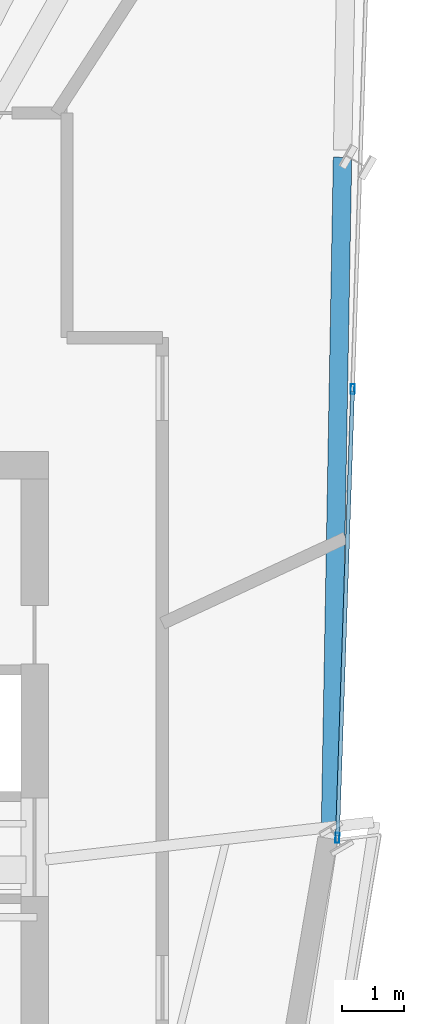
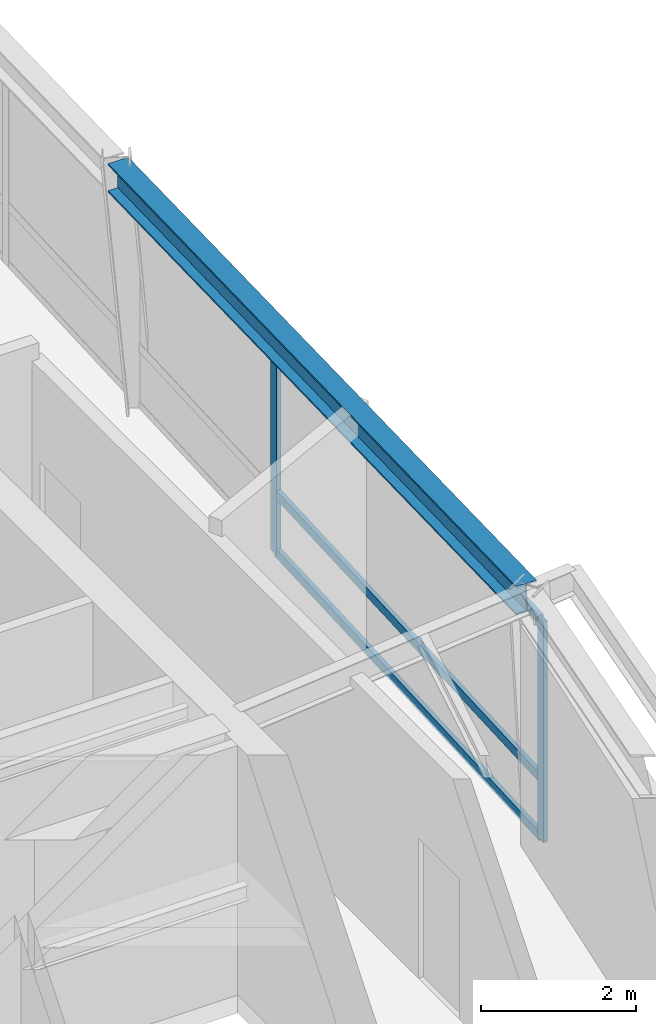
# One storey, part 10 of 22: 5 members, 1 beam, 1 element without a shape of its own.
"""IFC4 building model written with IfcOpenShell, lengths in metres."""

from ifc_helpers import new_model, si_unit, direction, frame, origin, origin_2d, place, context, subcontext, project, spatial, hollow_rectangle, i_section, extrude, source, transform, mapped, material, material_profile, profile_set, type_object, element, aggregate, save


model = new_model("IFC4")

# Units and contexts
model_context = context("Model", 3, precision=1e-05, world=origin(), true_north=direction((0.0, 1.0)))
body_context = subcontext(model_context, "Body", "Model", "MODEL_VIEW")
ifc_project = project(units=[si_unit("LENGTHUNIT", "METRE"), si_unit("AREAUNIT", "SQUARE_METRE"), si_unit("VOLUMEUNIT", "CUBIC_METRE"), si_unit("PLANEANGLEUNIT", "RADIAN"), si_unit("MASSUNIT", "GRAM", prefix="KILO")], contexts=[model_context])

# Site, building, storey
site_placement = place(None, origin())
site = spatial("IfcSite", under=ifc_project, at=site_placement, CompositionType="ELEMENT")
building_placement = place(site_placement, origin())
building = spatial("IfcBuilding", under=site, at=building_placement, Name="Olszyna Solenne Hotel", CompositionType="ELEMENT")
storey_placement = place(building_placement, frame((0.0, 0.0, 281.89990234375)))
storey = spatial("IfcBuildingStorey", under=building, at=storey_placement, Name="L75", CompositionType="ELEMENT", Elevation=281.89990234375)

# Beam
ifc_material_1 = material(Name="Steel S355J2", Category="steel")
ifc_material_profile_1 = material_profile(ifc_material_1, i_section(OverallWidth=0.300048828125, OverallDepth=0.449951171875, WebThickness=0.013916015625, FlangeThickness=0.02587890625, at=origin_2d()), Name="HEB 450", Category="load-bearing")
ifc_profile_set_1 = profile_set([ifc_material_profile_1], Name="Steel S355J2")
beam_type = type_object("IfcBeamType", Name="BM-S4", PredefinedType="BEAM", material=ifc_profile_set_1)
shared_shape_1 = source(origin(), body_context, "Body", "SweptSolid", [
    extrude(i_section(OverallWidth=0.300048828125, OverallDepth=0.449951171875, WebThickness=0.013916015625, FlangeThickness=0.02587890625, at=origin_2d()), origin(), (0.0, 0.0, 1.0), 10.842529296875),
])
beam_placement = place(storey_placement, frame((50.933349609375, 28.090087890625, 3.695068359375), z_axis=(0.017923433304, 0.999839362367, 0.0), x_axis=(-0.999839362367, 0.017923433304, 0.0)))
element("IfcBeam", 1, at=beam_placement, inside=storey, type_object=beam_type, Name="Perimeter spandrel beam BM-S4 B-L75-2206", PredefinedType="BEAM", context=body_context, shape_type="MappedRepresentation", body=[
    mapped(shared_shape_1, transform((0.0, 0.0, 0.0), x_axis=(1.0, 0.0, 0.0), y_axis=(0.0, 1.0, 0.0), z_axis=(0.0, 0.0, 1.0), scale=1.0)),
])

# Curtain wall, members
ifc_material_2 = material(Name="Anodised bronze aluminium", Category="aluminium")
curtain_wall_type = type_object("IfcCurtainWallType", Name="CW-SYS-7", PredefinedType="NOTDEFINED", material=ifc_material_2)
curtain_wall_placement = place(storey_placement, origin())
curtain_wall = element("IfcCurtainWall", 2, at=curtain_wall_placement, inside=storey, type_object=curtain_wall_type, Name="Unitised curtain wall CW-SYS-7 CW-L75-03", PredefinedType="NOTDEFINED")
ifc_material_profile_2 = material_profile(ifc_material_2, hollow_rectangle(XDim=0.06494140625, YDim=0.159912109375, WallThickness=0.00390625, at=origin_2d()), Name="MULL 160x65x4", Category="load-bearing")
ifc_profile_set_2 = profile_set([ifc_material_profile_2], Name="Anodised bronze aluminium")
member_type_1 = type_object("IfcMemberType", Name="CW-M3", PredefinedType="MULLION", material=ifc_profile_set_2)
shared_shape_2 = source(origin(), body_context, "Body", "SweptSolid", [
    extrude(hollow_rectangle(XDim=0.06494140625, YDim=0.159912109375, WallThickness=0.00390625, at=origin_2d()), origin(), (0.0, 0.0, 1.0), 3.462158203125),
])
member_1_placement = place(storey_placement, frame((51.04541015625, 27.870361328125, 0.0), z_axis=(0.0, 0.0, 1.0), x_axis=(-0.9994274286, 0.033835114337, 0.0)))
member_1 = element("IfcMember", 3, at=member_1_placement, type_object=member_type_1, Name="Curtain-wall mullion CW-M3 CM-L75-03-01", PredefinedType="MULLION", context=body_context, shape_type="MappedRepresentation", body=[
    mapped(shared_shape_2, transform((0.0, 0.0, 0.0), x_axis=(1.0, 0.0, 0.0), y_axis=(0.0, 1.0, 0.0), z_axis=(0.0, 0.0, 1.0), scale=1.0)),
])
member_2_placement = place(storey_placement, frame((51.29248046875, 35.163330078125, 0.0), z_axis=(0.0, 0.0, 1.0), x_axis=(-0.9994274286, 0.033835114337, 0.0)))
member_2 = element("IfcMember", 4, at=member_2_placement, type_object=member_type_1, Name="Curtain-wall mullion CW-M3 CM-L75-03-02", PredefinedType="MULLION", context=body_context, shape_type="MappedRepresentation", body=[
    mapped(shared_shape_2, transform((0.0, 0.0, 0.0), x_axis=(1.0, 0.0, 0.0), y_axis=(0.0, 1.0, 0.0), z_axis=(0.0, 0.0, 1.0), scale=1.0)),
])
ifc_material_profile_3 = material_profile(ifc_material_2, hollow_rectangle(XDim=0.06494140625, YDim=0.139892578125, WallThickness=0.00390625, at=origin_2d()), Name="TRAN 140x65x4", Category="load-bearing")
ifc_profile_set_3 = profile_set([ifc_material_profile_3], Name="Anodised bronze aluminium")
member_type_2 = type_object("IfcMemberType", Name="CW-T2", PredefinedType="USERDEFINED", material=ifc_profile_set_3)
shared_shape_3 = source(origin(), body_context, "Body", "SweptSolid", [
    extrude(hollow_rectangle(XDim=0.06494140625, YDim=0.139892578125, WallThickness=0.00390625, at=origin_2d()), origin(), (0.0, 0.0, 1.0), 7.232177734375),
])
member_3_placement = place(storey_placement, frame((51.046630859375, 27.90283203125, 0.03271484375), z_axis=(0.033825124039, 0.999427766766, 0.0), x_axis=(-0.999427766766, 0.033825124039, 0.0)))
member_3 = element("IfcMember", 5, at=member_3_placement, type_object=member_type_2, Name="Curtain-wall transom CW-T2 CT-L75-03-01", ObjectType="TRANSOM", PredefinedType="USERDEFINED", context=body_context, shape_type="MappedRepresentation", body=[
    mapped(shared_shape_3, transform((0.0, 0.0, 0.0), x_axis=(1.0, 0.0, 0.0), y_axis=(0.0, 1.0, 0.0), z_axis=(0.0, 0.0, 1.0), scale=1.0)),
])
member_4_placement = place(storey_placement, frame((51.046630859375, 27.90283203125, 0.9501953125), z_axis=(0.033825124039, 0.999427766766, 0.0), x_axis=(-0.999427766766, 0.033825124039, 0.0)))
member_4 = element("IfcMember", 6, at=member_4_placement, type_object=member_type_2, Name="Curtain-wall transom CW-T2 CT-L75-03-02", ObjectType="TRANSOM", PredefinedType="USERDEFINED", context=body_context, shape_type="MappedRepresentation", body=[
    mapped(shared_shape_3, transform((0.0, 0.0, 0.0), x_axis=(1.0, 0.0, 0.0), y_axis=(0.0, 1.0, 0.0), z_axis=(0.0, 0.0, 1.0), scale=1.0)),
])
member_5_placement = place(storey_placement, frame((51.046630859375, 27.90283203125, 3.4296875), z_axis=(0.033825124039, 0.999427766766, 0.0), x_axis=(-0.999427766766, 0.033825124039, 0.0)))
member_5 = element("IfcMember", 7, at=member_5_placement, type_object=member_type_2, Name="Curtain-wall transom CW-T2 CT-L75-03-03", ObjectType="TRANSOM", PredefinedType="USERDEFINED", context=body_context, shape_type="MappedRepresentation", body=[
    mapped(shared_shape_3, transform((0.0, 0.0, 0.0), x_axis=(1.0, 0.0, 0.0), y_axis=(0.0, 1.0, 0.0), z_axis=(0.0, 0.0, 1.0), scale=1.0)),
])
aggregate(curtain_wall, [member_1, member_2, member_3, member_4, member_5])

save(model, "model.ifc")
